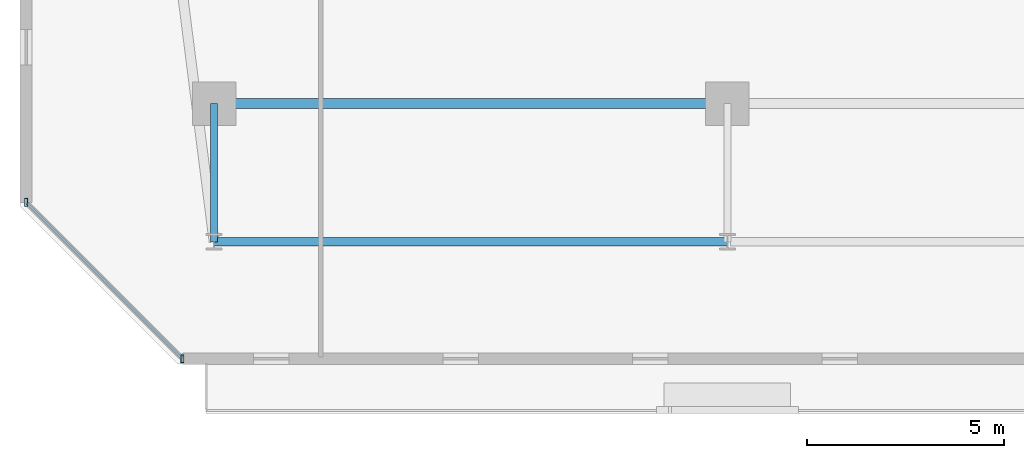
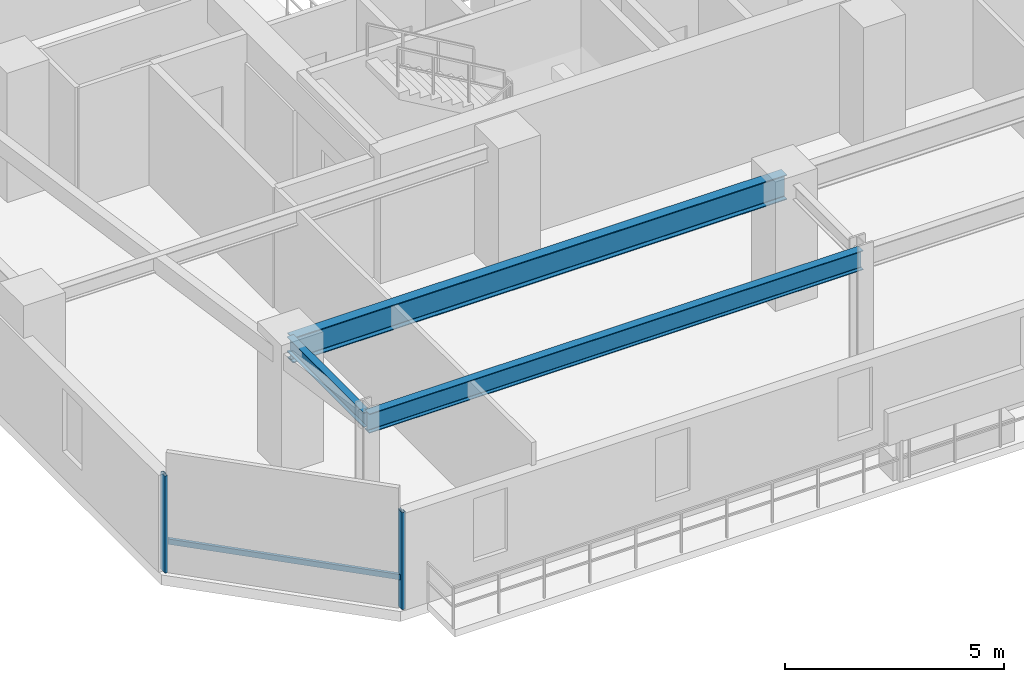
# One storey, part 3 of 32: 3 beams, 3 members, 1 element without a shape of its own.
"""IFC4 building model written with IfcOpenShell, lengths in metres."""

from ifc_helpers import new_model, si_unit, direction, frame, origin, origin_2d, place, context, subcontext, project, spatial, hollow_rectangle, i_section, extrude, material, material_profile, profile_set, type_object, element, aggregate, save


model = new_model("IFC4")

# Units and contexts
model_context = context("Model", 3, precision=1e-05, world=origin(), true_north=direction((0.0, 1.0)))
body_context = subcontext(model_context, "Body", "Model", "MODEL_VIEW")
ifc_project = project(units=[si_unit("LENGTHUNIT", "METRE"), si_unit("AREAUNIT", "SQUARE_METRE"), si_unit("VOLUMEUNIT", "CUBIC_METRE"), si_unit("PLANEANGLEUNIT", "RADIAN"), si_unit("MASSUNIT", "GRAM", prefix="KILO")], contexts=[model_context])

# Site, building, storey
site_placement = place(None, origin())
site = spatial("IfcSite", under=ifc_project, at=site_placement, CompositionType="ELEMENT")
building_placement = place(site_placement, origin())
building = spatial("IfcBuilding", under=site, at=building_placement, Name="Thornwick Lancets Civic Towers", CompositionType="ELEMENT")
storey_placement = place(building_placement, frame((0.0, 0.0, 152.699951171875)))
storey = spatial("IfcBuildingStorey", under=building, at=storey_placement, Name="L40", CompositionType="ELEMENT", Elevation=152.699951171875)

# Beams
ifc_material_1 = material(Name="Steel S355JR", Category="steel")
ifc_material_profile_1 = material_profile(ifc_material_1, i_section(OverallWidth=0.210693359375, OverallDepth=0.53955078125, WebThickness=0.01171875, FlangeThickness=0.018798828125, FilletRadius=0.0126953125, at=origin_2d()), Name="UKB 533x210x109")
ifc_profile_set_1 = profile_set([ifc_material_profile_1], Name="Steel S355JR")
beam_type_1 = type_object("IfcBeamType", Name="BM_EDGE_533_109", PredefinedType="SPANDREL", material=ifc_profile_set_1)
beam_1_placement = place(storey_placement, frame((12.5, 6.199951171875, 3.09033203125), z_axis=(1.0, 0.0, 0.0), x_axis=(0.0, 1.0, 0.0)))
element("IfcBeam", 1, at=beam_1_placement, inside=storey, type_object=beam_type_1, Name="BM-EDGE-L40-A-S0-1", PredefinedType="SPANDREL", context=body_context, shape_type="SweptSolid", body=[
    extrude(i_section(OverallWidth=0.210693359375, OverallDepth=0.53955078125, WebThickness=0.01171875, FlangeThickness=0.018798828125, FilletRadius=0.0126953125, at=origin_2d()), origin(), (0.0, 0.0, 1.0), 13.0),
])
ifc_material_profile_2 = material_profile(ifc_material_1, i_section(OverallWidth=0.255859375, OverallDepth=0.69287109375, WebThickness=0.014404296875, FlangeThickness=0.023681640625, FilletRadius=0.01513671875, at=origin_2d()), Name="UKB 686x254x170")
ifc_profile_set_2 = profile_set([ifc_material_profile_2], Name="Steel S355JR")
beam_type_2 = type_object("IfcBeamType", Name="BM_GIRD_686_170", PredefinedType="BEAM", material=ifc_profile_set_2)
beam_2_placement = place(storey_placement, frame((12.5, 9.699951171875, 3.013427734375), z_axis=(1.0, 0.0, 0.0), x_axis=(0.0, 1.0, 0.0)))
element("IfcBeam", 2, at=beam_2_placement, inside=storey, type_object=beam_type_2, Name="BM-SPINE-L40-A-0-1", PredefinedType="BEAM", context=body_context, shape_type="SweptSolid", body=[
    extrude(i_section(OverallWidth=0.255859375, OverallDepth=0.69287109375, WebThickness=0.014404296875, FlangeThickness=0.023681640625, FilletRadius=0.01513671875, at=origin_2d()), origin(), (0.0, 0.0, 1.0), 13.0),
])
ifc_material_profile_3 = material_profile(ifc_material_1, i_section(OverallWidth=0.179443359375, OverallDepth=0.412841796875, WebThickness=0.009521484375, FlangeThickness=0.01611328125, FilletRadius=0.01025390625, at=origin_2d()), Name="UKB 406x178x74")
ifc_profile_set_3 = profile_set([ifc_material_profile_3], Name="Steel S355JR")
beam_type_3 = type_object("IfcBeamType", Name="BM_JOIST_406_74", PredefinedType="JOIST", material=ifc_profile_set_3)
beam_3_placement = place(storey_placement, frame((12.5, 9.699951171875, 3.153564453125), z_axis=(0.0, -1.0, 0.0), x_axis=(1.0, 0.0, 0.0)))
element("IfcBeam", 3, at=beam_3_placement, inside=storey, type_object=beam_type_3, Name="BM-RAD-L40-A01", PredefinedType="JOIST", context=body_context, shape_type="SweptSolid", body=[
    extrude(i_section(OverallWidth=0.179443359375, OverallDepth=0.412841796875, WebThickness=0.009521484375, FlangeThickness=0.01611328125, FilletRadius=0.01025390625, at=origin_2d()), origin(), (0.0, 0.0, 1.0), 3.5),
])

# Curtain wall, members
ifc_material_2 = material(Name="Mid-zone chamfered-corner unitised glass curtain wall", Category="glass")
curtain_wall_type = type_object("IfcCurtainWallType", Name="CW_SYS_04", PredefinedType="NOTDEFINED", material=ifc_material_2)
curtain_wall_placement = place(storey_placement, origin())
curtain_wall = element("IfcCurtainWall", 4, at=curtain_wall_placement, inside=storey, type_object=curtain_wall_type, Name="L40 Curtain Wall CW-L40-A-E7", PredefinedType="NOTDEFINED")
ifc_material_3 = material(Name="Thermally broken bronze aluminium S355", Category="steel")
ifc_material_profile_4 = material_profile(ifc_material_3, hollow_rectangle(XDim=0.080078125, YDim=0.199951171875, WallThickness=0.006103515625, at=origin_2d()), Name="RHS 200x80x6")
ifc_profile_set_4 = profile_set([ifc_material_profile_4], Name="Thermally broken bronze aluminium S355")
member_type_1 = type_object("IfcMemberType", Name="CW_MUL_200", PredefinedType="MULLION", material=ifc_profile_set_4)
member_1_placement = place(storey_placement, frame((7.739990234375, 7.1982421875, 0.0), z_axis=(0.0, 0.0, 1.0), x_axis=(1.0, 0.0, 0.0)))
member_1 = element("IfcMember", 5, at=member_1_placement, type_object=member_type_1, Name="CW-L40-A-E7 Mullion 0", PredefinedType="MULLION", context=body_context, shape_type="SweptSolid", body=[
    extrude(hollow_rectangle(XDim=0.080078125, YDim=0.199951171875, WallThickness=0.006103515625, at=origin_2d()), origin(), (0.0, 0.0, 1.0), 2.699951171875),
])
member_2_placement = place(storey_placement, frame((11.6982421875, 3.239990234375, 0.0), z_axis=(0.0, 0.0, 1.0), x_axis=(1.0, 0.0, 0.0)))
member_2 = element("IfcMember", 6, at=member_2_placement, type_object=member_type_1, Name="CW-L40-A-E7 Mullion 1", PredefinedType="MULLION", context=body_context, shape_type="SweptSolid", body=[
    extrude(hollow_rectangle(XDim=0.080078125, YDim=0.199951171875, WallThickness=0.006103515625, at=origin_2d()), origin(), (0.0, 0.0, 1.0), 2.699951171875),
])
ifc_material_profile_5 = material_profile(ifc_material_3, hollow_rectangle(XDim=0.074951171875, YDim=0.14990234375, WallThickness=0.0048828125, at=origin_2d()), Name="RHS 150x75x5")
ifc_profile_set_5 = profile_set([ifc_material_profile_5], Name="Thermally broken bronze aluminium S355")
member_type_2 = type_object("IfcMemberType", Name="CW_TRN_150", PredefinedType="USERDEFINED", material=ifc_profile_set_5)
member_3_placement = place(storey_placement, frame((7.75390625, 7.18408203125, 0.85009765625), z_axis=(0.707106781187, -0.707106781187, 0.0), x_axis=(0.707106781187, 0.707106781187, 0.0)))
member_3 = element("IfcMember", 7, at=member_3_placement, type_object=member_type_2, Name="CW-L40-A-E7 Transom 0", ObjectType="TRANSOM", PredefinedType="USERDEFINED", context=body_context, shape_type="SweptSolid", body=[
    extrude(hollow_rectangle(XDim=0.074951171875, YDim=0.14990234375, WallThickness=0.0048828125, at=origin_2d()), origin(), (0.0, 0.0, 1.0), 5.55810546875),
])
aggregate(curtain_wall, [member_1, member_2, member_3])

save(model, "model.ifc")
